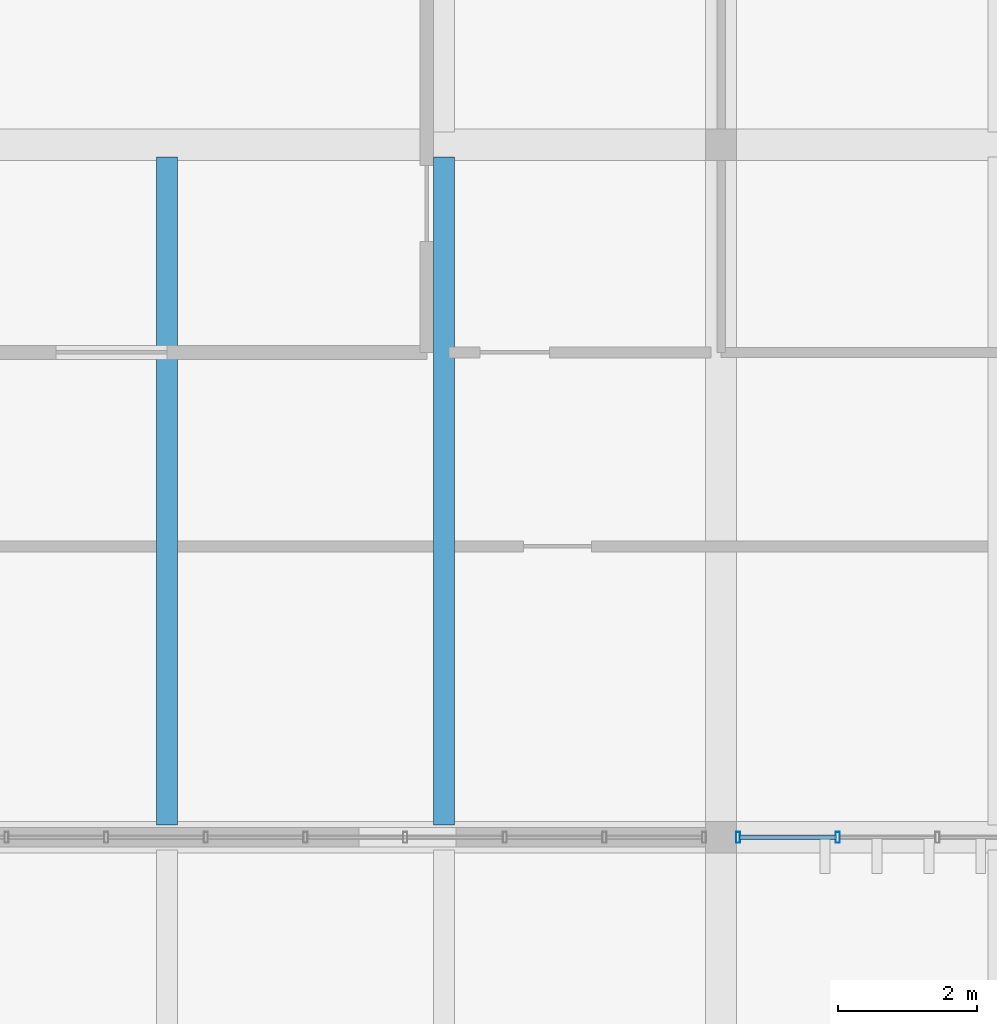
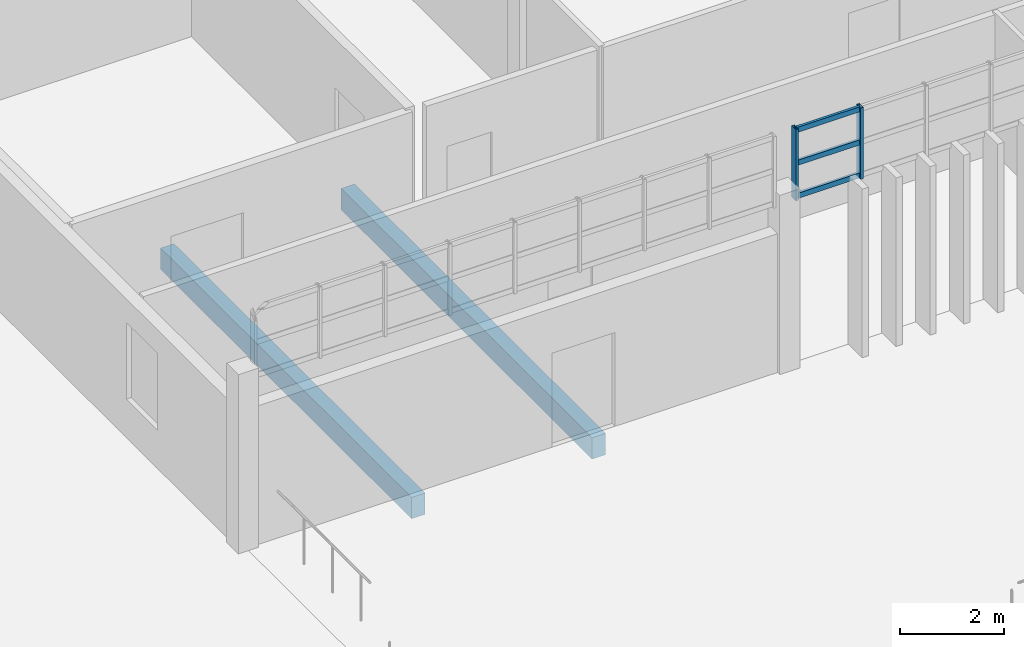
# One storey, part 7 of 36: 5 members, 2 beams, 1 element without a shape of its own.
"""IFC4 building model written with IfcOpenShell, lengths in metres."""

from ifc_helpers import new_model, si_unit, direction, frame, origin, origin_2d, place, context, subcontext, project, spatial, rectangle, hollow_rectangle, extrude, material, layer, layer_set, material_profile, profile_set, type_object, element, aggregate, save


model = new_model("IFC4")

# Units and contexts
model_context = context("Model", 3, precision=1e-05, world=origin(), true_north=direction((0.0, 1.0)))
body_context = subcontext(model_context, "Body", "Model", "MODEL_VIEW")
ifc_project = project(units=[si_unit("LENGTHUNIT", "METRE"), si_unit("AREAUNIT", "SQUARE_METRE"), si_unit("VOLUMEUNIT", "CUBIC_METRE"), si_unit("PLANEANGLEUNIT", "RADIAN"), si_unit("MASSUNIT", "GRAM", prefix="KILO")], contexts=[model_context])

# Site, building, storey
site_placement = place(None, origin())
site = spatial("IfcSite", under=ifc_project, at=site_placement, CompositionType="ELEMENT")
building_placement = place(site_placement, origin())
building = spatial("IfcBuilding", under=site, at=building_placement, Name="Mersad Railyard Sports Hall", CompositionType="ELEMENT")
storey_placement = place(building_placement, frame((0.0, 0.0, 21.60009765625)))
storey = spatial("IfcBuildingStorey", under=building, at=storey_placement, Name="L05", CompositionType="ELEMENT", Elevation=21.60009765625)

# Curtain wall, members
ifc_material_1 = material(Name="Aluminium 6063-T6", Category="aluminium")
ifc_layer = layer(ifc_material_1, 0.159912109375)
ifc_layer_set = layer_set([ifc_layer], Name="Aluminium 6063-T6")
curtain_wall_type = type_object("IfcCurtainWallType", Name="ARC-CW-CW48", PredefinedType="USERDEFINED", material=ifc_layer_set)
curtain_wall_placement = place(storey_placement, origin())
curtain_wall = element("IfcCurtainWall", 1, at=curtain_wall_placement, inside=storey, type_object=curtain_wall_type, Name="Curtain wall CW48-0130", ObjectType="CURTAIN WALL", PredefinedType="USERDEFINED")
ifc_material_profile_1 = material_profile(ifc_material_1, hollow_rectangle(XDim=0.06005859375, YDim=0.159912109375, WallThickness=0.00390625, at=origin_2d()), Name="AL MULLION 60x160x4")
ifc_profile_set_1 = profile_set([ifc_material_profile_1], Name="Aluminium 6063-T6")
member_type_1 = type_object("IfcMemberType", Name="ARC-CW-MUL01", PredefinedType="MULLION", material=ifc_profile_set_1)
member_1_placement = place(storey_placement, frame((80.683837890625, 95.0, 3.829833984375), z_axis=(0.0, 0.0, 1.0), x_axis=(1.0, 0.0, 0.0)))
member_1 = element("IfcMember", 2, at=member_1_placement, type_object=member_type_1, Name="CW48 Mullion 8", PredefinedType="MULLION", context=body_context, shape_type="SweptSolid", body=[
    extrude(hollow_rectangle(XDim=0.06005859375, YDim=0.159912109375, WallThickness=0.00390625, at=origin_2d()), origin(), (0.0, 0.0, 1.0), 1.670166015625),
])
member_2_placement = place(storey_placement, frame((79.2451171875, 95.0, 3.829833984375), z_axis=(0.0, 0.0, 1.0), x_axis=(1.0, 0.0, 0.0)))
member_2 = element("IfcMember", 3, at=member_2_placement, type_object=member_type_1, Name="CW48 Mullion 9", PredefinedType="MULLION", context=body_context, shape_type="SweptSolid", body=[
    extrude(hollow_rectangle(XDim=0.06005859375, YDim=0.159912109375, WallThickness=0.00390625, at=origin_2d()), origin(), (0.0, 0.0, 1.0), 1.670166015625),
])
ifc_material_profile_2 = material_profile(ifc_material_1, hollow_rectangle(XDim=0.06005859375, YDim=0.1201171875, WallThickness=0.00390625, at=origin_2d()), Name="AL TRANSOM 60x120x4")
ifc_profile_set_2 = profile_set([ifc_material_profile_2], Name="Aluminium 6063-T6")
member_type_2 = type_object("IfcMemberType", Name="ARC-CW-TRN01", PredefinedType="USERDEFINED", material=ifc_profile_set_2)
member_3_placement = place(storey_placement, frame((80.663818359375, 95.0, 3.889892578125), z_axis=(-1.0, 0.0, 0.0), x_axis=(0.0, -1.0, 0.0)))
member_3 = element("IfcMember", 4, at=member_3_placement, type_object=member_type_2, Name="CW48 Transom 1-8", ObjectType="TRANSOM", PredefinedType="USERDEFINED", context=body_context, shape_type="SweptSolid", body=[
    extrude(hollow_rectangle(XDim=0.06005859375, YDim=0.1201171875, WallThickness=0.00390625, at=origin_2d()), origin(), (0.0, 0.0, 1.0), 1.39892578125),
])
member_4_placement = place(storey_placement, frame((80.663818359375, 95.0, 4.664794921875), z_axis=(-1.0, 0.0, 0.0), x_axis=(0.0, -1.0, 0.0)))
member_4 = element("IfcMember", 5, at=member_4_placement, type_object=member_type_2, Name="CW48 Transom 2-8", ObjectType="TRANSOM", PredefinedType="USERDEFINED", context=body_context, shape_type="SweptSolid", body=[
    extrude(hollow_rectangle(XDim=0.06005859375, YDim=0.1201171875, WallThickness=0.00390625, at=origin_2d()), origin(), (0.0, 0.0, 1.0), 1.39892578125),
])
member_5_placement = place(storey_placement, frame((80.663818359375, 95.0, 5.43994140625), z_axis=(-1.0, 0.0, 0.0), x_axis=(0.0, -1.0, 0.0)))
member_5 = element("IfcMember", 6, at=member_5_placement, type_object=member_type_2, Name="CW48 Transom 3-8", ObjectType="TRANSOM", PredefinedType="USERDEFINED", context=body_context, shape_type="SweptSolid", body=[
    extrude(hollow_rectangle(XDim=0.06005859375, YDim=0.1201171875, WallThickness=0.00390625, at=origin_2d()), origin(), (0.0, 0.0, 1.0), 1.39892578125),
])
aggregate(curtain_wall, [member_1, member_2, member_3, member_4, member_5])

# Beams
ifc_material_2 = material(Name="Concrete C40/50", Category="concrete")
ifc_material_profile_3 = material_profile(ifc_material_2, rectangle(XDim=0.300048828125, YDim=0.5, at=origin_2d()), Name="RC 300x500")
ifc_profile_set_3 = profile_set([ifc_material_profile_3], Name="Concrete C40/50")
beam_type = type_object("IfcBeamType", Name="STR-BM-LN01", PredefinedType="LINTEL", material=ifc_profile_set_3)
for number, where, z_axis, x_axis, name in (
    (7, (71.0, 95.179931640625, -0.60009765625), (0.0, 1.0, 0.0), (-1.0, 0.0, 0.0), "Beam LN01-1456"),
    (8, (75.0, 95.179931640625, -0.60009765625), (0.0, 1.0, 0.0), (-1.0, 0.0, 0.0), "Beam LN01-1457"),
):
    element("IfcBeam", number, at=place(storey_placement, frame(where, z_axis=z_axis, x_axis=x_axis)), inside=storey, type_object=beam_type, Name=name, PredefinedType="LINTEL", context=body_context, shape_type="SweptSolid", body=[
        extrude(rectangle(XDim=0.300048828125, YDim=0.5, at=origin_2d()), origin(), (0.0, 0.0, 1.0), 9.64013671875),
    ])

save(model, "model.ifc")
